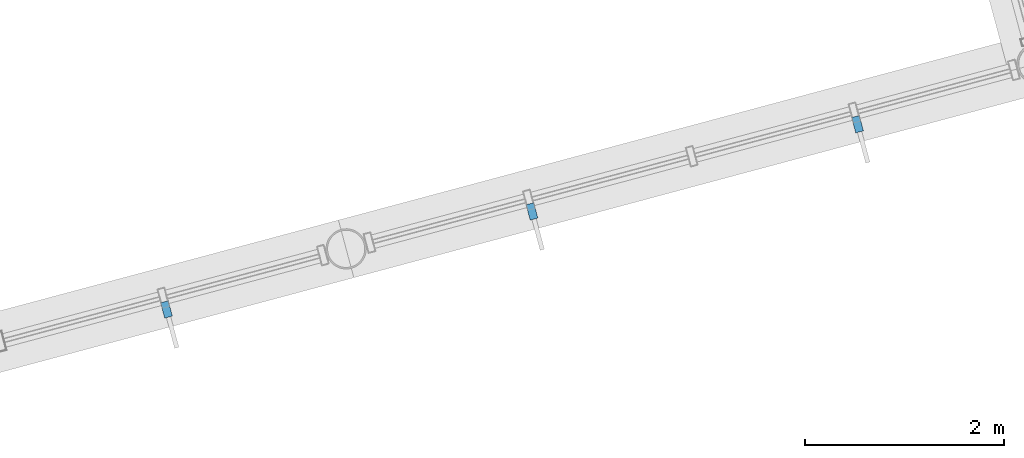
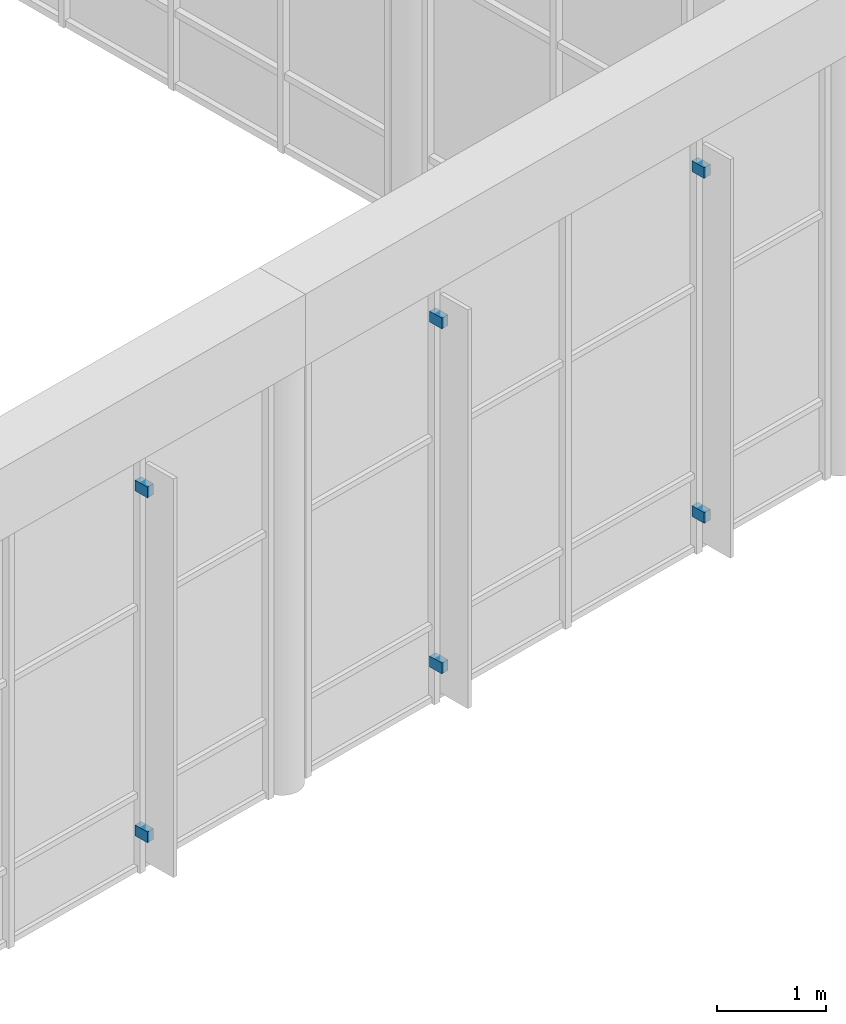
# One storey, part 49 of 55: 6 discrete accessories.
"""IFC4 building model written with IfcOpenShell, lengths in metres."""

from ifc_helpers import new_model, si_unit, direction, frame, origin, origin_2d, place, context, subcontext, project, spatial, rectangle, extrude, material, type_object, element, save


model = new_model("IFC4")

# Units and contexts
model_context = context("Model", 3, precision=1e-05, world=origin(), true_north=direction((0.0, 1.0)))
body_context = subcontext(model_context, "Body", "Model", "MODEL_VIEW")
ifc_project = project(units=[si_unit("LENGTHUNIT", "METRE"), si_unit("AREAUNIT", "SQUARE_METRE"), si_unit("VOLUMEUNIT", "CUBIC_METRE"), si_unit("PLANEANGLEUNIT", "RADIAN"), si_unit("MASSUNIT", "GRAM", prefix="KILO")], contexts=[model_context])

# Site, building, storey
site_placement = place(None, origin())
site = spatial("IfcSite", under=ifc_project, at=site_placement, CompositionType="ELEMENT")
building_placement = place(site_placement, origin())
building = spatial("IfcBuilding", under=site, at=building_placement, Name="Ventoquebrada Cableway Terminal", CompositionType="ELEMENT")
storey_placement = place(building_placement, frame((0.0, 0.0, 14.39990234375)))
storey = spatial("IfcBuildingStorey", under=building, at=storey_placement, Name="L03", CompositionType="ELEMENT", Elevation=14.39990234375)

# Discrete accessories
ifc_material = material(Name="Anodized thermally-broken aluminium", Category="aluminium")
discrete_accessory_type = type_object("IfcDiscreteAccessoryType", Name="BRK-01", PredefinedType="BRACKET", material=ifc_material)
for number, where, z_axis, x_axis, name in (
    (1, (77.989013671875, 76.62890625, 0.39013671875), (0.0, 0.0, 1.0), (0.965957439792, 0.258701033069, 0.0), "Sunshade bracket FN-089"),
    (2, (77.989013671875, 76.62890625, 4.239990234375), (0.0, 0.0, 1.0), (0.965957439792, 0.258701033069, 0.0), "Sunshade bracket FN-089"),
    (3, (81.6669921875, 77.614990234375, 0.39013671875), (0.0, 0.0, 1.0), (0.965912273231, 0.258869620506, 0.0), "Sunshade bracket FN-090"),
    (4, (81.6669921875, 77.614990234375, 4.239990234375), (0.0, 0.0, 1.0), (0.965912273231, 0.258869620506, 0.0), "Sunshade bracket FN-090"),
    (5, (84.943115234375, 78.492919921875, 0.39013671875), (0.0, 0.0, 1.0), (0.965912273231, 0.258869620506, 0.0), "Sunshade bracket FN-091"),
    (6, (84.943115234375, 78.492919921875, 4.239990234375), (0.0, 0.0, 1.0), (0.965912273231, 0.258869620506, 0.0), "Sunshade bracket FN-091"),
):
    element("IfcDiscreteAccessory", number, at=place(storey_placement, frame(where, z_axis=z_axis, x_axis=x_axis)), inside=storey, type_object=discrete_accessory_type, Name=name, PredefinedType="BRACKET", context=body_context, shape_type="SweptSolid", body=[
        extrude(rectangle(XDim=0.080078125, YDim=0.159912109375, at=origin_2d()), origin(), (0.0, 0.0, 1.0), 0.1201171875),
    ])

save(model, "model.ifc")
